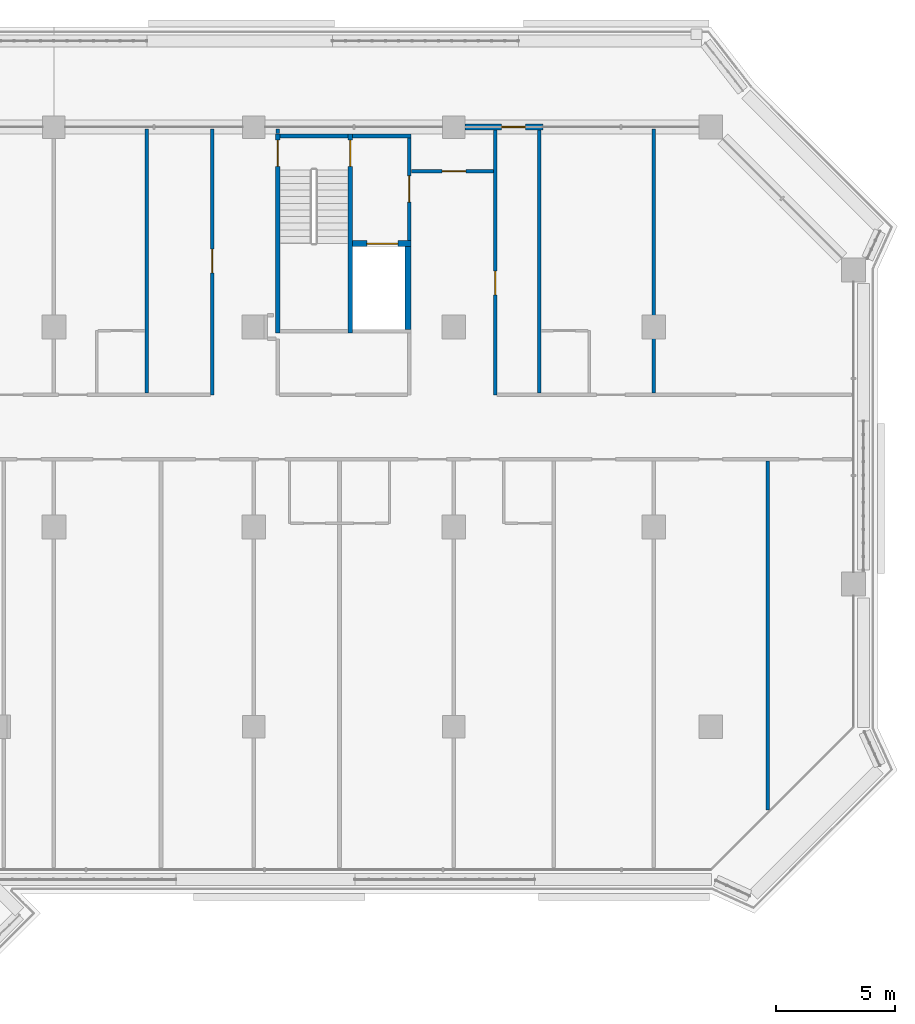
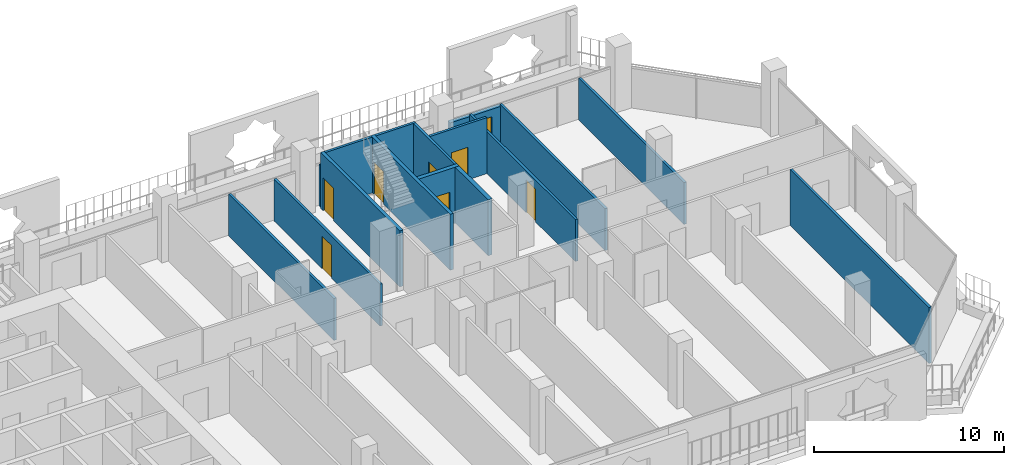
# One storey, part 14 of 22: 16 walls, 8 doors, 8 openings.
"""IFC4 building model written with IfcOpenShell, lengths in metres."""

import ifcopenshell
import ifcopenshell.guid

model = None  # the IFC model being written
_history = None  # IfcOwnerHistory: only IFC2X3 demands one
_inside = {}  # id of a spatial element -> (the spatial element, [elements in it])
_under = {}  # id of a project, library or spatial element -> (it, [spatial elements below it])
_declared = {}  # id of a project -> (the project, [libraries it declares])
_typed = {}  # id of a type object -> (the type object, [elements of that type])
_made_of = {}  # id of a material, layer set ... -> (it, [elements and type objects made of it])


def new_model(schema):
    """Start an empty IFC model of exactly this schema.

    Asked for "IFC4X3", IfcOpenShell would pick the latest addendum, in which some entities
    have other attributes; the version numbers below select the first issue.
    IFC2X3 requires an IfcOwnerHistory on every rooted entity: one is made here for all.
    """
    global model, _history
    if schema == "IFC4X3":
        model = ifcopenshell.file(schema_version=(4, 3, 0, 0))
    else:
        model = ifcopenshell.file(schema=schema)
    _inside.clear()
    _under.clear()
    _declared.clear()
    _typed.clear()
    _made_of.clear()
    _history = None
    if model.schema == "IFC2X3":
        org = make("IfcOrganization", Name="unknown")
        user = make(
            "IfcPersonAndOrganization",
            ThePerson=make("IfcPerson", FamilyName="unknown"),
            TheOrganization=org,
        )
        app = make(
            "IfcApplication",
            ApplicationDeveloper=org,
            Version="unknown",
            ApplicationFullName="unknown",
            ApplicationIdentifier="unknown",
        )
        _history = make(
            "IfcOwnerHistory",
            OwningUser=user,
            OwningApplication=app,
            ChangeAction="ADDED",
            CreationDate=0,
        )
    return model


def make(cls, **values):
    """One entity of the class cls with the attributes given. An attribute that is None is left unset."""
    return model.create_entity(
        cls, **{name: value for name, value in values.items() if value is not None}
    )


def rooted(cls, **values):
    """An entity with a GlobalId (a new one), such as an element, a storey or a relation."""
    return make(cls, GlobalId=ifcopenshell.guid.new(), OwnerHistory=_history, **values)


def si_unit(unit_type, name, prefix=None):
    """IfcSIUnit, for example si_unit("LENGTHUNIT", "METRE", prefix="MILLI")."""
    return make("IfcSIUnit", UnitType=unit_type, Prefix=prefix, Name=name)


def assignment(units):
    """IfcUnitAssignment: the units of a project."""
    return None if units is None else make("IfcUnitAssignment", Units=units)


def point(xyz):
    """IfcCartesianPoint."""
    return None if xyz is None else make("IfcCartesianPoint", Coordinates=xyz)


def direction(xyz):
    """IfcDirection."""
    return None if xyz is None else make("IfcDirection", DirectionRatios=xyz)


def frame(location, z_axis=None, x_axis=None):
    """IfcAxis2Placement3D, a coordinate frame: its origin and axes. An axis left out is left unset."""
    return make(
        "IfcAxis2Placement3D",
        Location=point(location),
        Axis=direction(z_axis),
        RefDirection=direction(x_axis),
    )


def frame_2d(location, x_axis=None):
    """IfcAxis2Placement2D, a coordinate frame in the plane: its origin and x axis."""
    return make(
        "IfcAxis2Placement2D", Location=point(location), RefDirection=direction(x_axis)
    )


def origin():
    """The frame at (0, 0, 0) with its axes left unset."""
    return frame((0.0, 0.0, 0.0))


def place(relative_to, where):
    """IfcLocalPlacement: puts the frame where relative to a parent placement (None: the world)."""
    return make(
        "IfcLocalPlacement", PlacementRelTo=relative_to, RelativePlacement=where
    )


def context(
    kind, dimensions, precision=None, world=None, true_north=None, identifier=None
):
    """IfcGeometricRepresentationContext, for example the 3D "Model" context."""
    return make(
        "IfcGeometricRepresentationContext",
        ContextIdentifier=identifier,
        ContextType=kind,
        CoordinateSpaceDimension=dimensions,
        Precision=precision,
        WorldCoordinateSystem=world,
        TrueNorth=true_north,
    )


def subcontext(parent, identifier, kind, view, scale=None):
    """IfcGeometricRepresentationSubContext, for example "Body" below "Model"."""
    return make(
        "IfcGeometricRepresentationSubContext",
        ContextIdentifier=identifier,
        ContextType=kind,
        ParentContext=parent,
        TargetScale=scale,
        TargetView=view,
    )


def project(units=None, contexts=None):
    """IfcProject with its units and contexts."""
    return rooted(
        "IfcProject",
        Name="project",
        RepresentationContexts=contexts,
        UnitsInContext=assignment(units),
    )


def spatial(cls, under=None, at=None, **own):
    """A site, building, storey or space (cls), placed at a placement, below another one or the project."""
    s = rooted(cls, ObjectPlacement=at, **own)
    if under is not None:
        _under.setdefault(under.id(), (under, []))[1].append(s)
    return s


def profile(cls, at=None, kind="AREA", **sizes):
    """A parametric profile (cls). Its sizes go by their IFC names, for example OverallWidth=200.0."""
    return make(cls, ProfileType=kind, Position=at, **sizes)


def rectangle(**sizes):
    """IfcRectangleProfileDef."""
    return profile("IfcRectangleProfileDef", **sizes)


def extrude(swept, where, along, depth):
    """IfcExtrudedAreaSolid: the profile swept, set in the frame where, extruded along a direction by depth."""
    return make(
        "IfcExtrudedAreaSolid",
        SweptArea=swept,
        Position=where,
        ExtrudedDirection=direction(along),
        Depth=depth,
    )


def shape(context_of_items, identifier, shape_type, items):
    """IfcShapeRepresentation: the items that make up one representation, for example the "Body"."""
    return make(
        "IfcShapeRepresentation",
        ContextOfItems=context_of_items,
        RepresentationIdentifier=identifier,
        RepresentationType=shape_type,
        Items=items,
    )


def material(Name=None, Category=None):
    """IfcMaterial."""
    return make("IfcMaterial", Name=Name, Category=Category)


def layer(
    of_material, thickness, ventilated=None, Name=None, Category=None, Priority=None
):
    """IfcMaterialLayer: one layer of a wall or slab, of a material (None: an air gap)."""
    return make(
        "IfcMaterialLayer",
        Material=of_material,
        LayerThickness=thickness,
        IsVentilated=ventilated,
        Name=Name,
        Category=Category,
        Priority=Priority,
    )


def layer_set(layers, Name=None):
    """IfcMaterialLayerSet."""
    return make("IfcMaterialLayerSet", MaterialLayers=layers, LayerSetName=Name)


def made_of(thing, what):
    """Note that an element or type object is made of a material, layer set ...; save() writes the relation."""
    if what is not None:
        _made_of.setdefault(what.id(), (what, []))[1].append(thing)
    return thing


def type_object(cls, material=None, **own):
    """A type object (cls), such as IfcWallType, which elements share."""
    return made_of(rooted(cls, **own), material)


def element(
    cls,
    number,
    at=None,
    inside=None,
    cuts=None,
    type_object=None,
    material=None,
    context=None,
    identifier="Body",
    shape_type=None,
    held_by="IfcProductDefinitionShape",
    body=None,
    shapes=None,
    **own,
):
    """One element of the class cls, such as IfcWall. Its Tag is "e" and its number.

    at: its placement. inside: the storey or other place that contains it. cuts: it is an
    opening in that element (IfcRelVoidsElement). A single representation is given by context,
    identifier, shape_type and body (its items); several are given by shapes. held_by: the class
    of the entity that holds the representations. save() writes the other relations.
    """
    e = rooted(cls, Tag="e%d" % number, ObjectPlacement=at, **own)
    if body is not None:
        shapes = [shape(context, identifier, shape_type, body)]
    if shapes is not None:
        e.Representation = make(held_by, Representations=shapes)
    if inside is not None:
        _inside.setdefault(inside.id(), (inside, []))[1].append(e)
    if cuts is not None:
        rooted(
            "IfcRelVoidsElement", RelatingBuildingElement=cuts, RelatedOpeningElement=e
        )
    if type_object is not None:
        _typed.setdefault(type_object.id(), (type_object, []))[1].append(e)
    return made_of(e, material)


def fill(opening, filler):
    """IfcRelFillsElement: the door or window that sits in an opening."""
    return rooted(
        "IfcRelFillsElement",
        RelatingOpeningElement=opening,
        RelatedBuildingElement=filler,
    )


def aggregate(whole, parts):
    """IfcRelAggregates: a whole, such as a stair, and the parts it consists of."""
    return rooted("IfcRelAggregates", RelatingObject=whole, RelatedObjects=parts)


def save(model, path):
    """Write the relations noted so far, then the file.

    IfcRelAggregates (storeys below a building ...), IfcRelContainedInSpatialStructure (elements
    in a storey), IfcRelDefinesByType, IfcRelAssociatesMaterial and IfcRelDeclares: one each for
    every whole, place, type object, material and project.
    """
    for whole, parts in _under.values():
        aggregate(whole, parts)
    for where, things in _inside.values():
        rooted(
            "IfcRelContainedInSpatialStructure",
            RelatedElements=things,
            RelatingStructure=where,
        )
    for kind, things in _typed.values():
        rooted("IfcRelDefinesByType", RelatedObjects=things, RelatingType=kind)
    for what, things in _made_of.values():
        rooted("IfcRelAssociatesMaterial", RelatedObjects=things, RelatingMaterial=what)
    for by, libraries in _declared.values():
        rooted("IfcRelDeclares", RelatingContext=by, RelatedDefinitions=libraries)
    model.write(path)


model = new_model("IFC4")

# Units and contexts
model_context = context("Model", 3, precision=1e-05, world=origin(), true_north=direction((0.0, 1.0)))
body_context = subcontext(model_context, "Body", "Model", "MODEL_VIEW")
ifc_project = project(units=[si_unit("LENGTHUNIT", "METRE"), si_unit("AREAUNIT", "SQUARE_METRE"), si_unit("VOLUMEUNIT", "CUBIC_METRE"), si_unit("PLANEANGLEUNIT", "RADIAN"), si_unit("MASSUNIT", "GRAM", prefix="KILO")], contexts=[model_context])

# Site, building, storey
site_placement = place(None, origin())
site = spatial("IfcSite", under=ifc_project, at=site_placement, CompositionType="ELEMENT")
building_placement = place(site_placement, origin())
building = spatial("IfcBuilding", under=site, at=building_placement, Name="Kawkab Arch Medical Tower", CompositionType="ELEMENT")
storey_placement = place(building_placement, frame((0.0, 0.0, 196.199951171875)))
storey = spatial("IfcBuildingStorey", under=building, at=storey_placement, Name="L45", CompositionType="ELEMENT", Elevation=196.199951171875)

# Wall, opening, door
ifc_material_1 = material(Name="Gypsum board on steel studs", Category="steel")
ifc_layer_1 = layer(ifc_material_1, 0.14990234375)
ifc_layer_set_1 = layer_set([ifc_layer_1], Name="Gypsum board on steel studs")
wall_type_1 = type_object("IfcWallType", Name="Core room partition 150", PredefinedType="PARTITIONING", material=ifc_layer_set_1)
wall_1_placement = place(storey_placement, frame((48.52490234375, -4.77490234375, 0.0), z_axis=(0.0, 0.0, 1.0), x_axis=(0.0, 1.0, 0.0)))
wall_1 = element("IfcWall", 1, at=wall_1_placement, inside=storey, type_object=wall_type_1, Name="L45 core room partition", PredefinedType="PARTITIONING", context=body_context, shape_type="SweptSolid", body=[
    extrude(rectangle(XDim=4.324951171875, YDim=0.14990234375, at=frame_2d((2.16259765625, 0.0))), origin(), (0.0, 0.0, 1.0), 3.60009765625),
])
opening_1_placement = place(wall_1_placement, frame((1.625, 0.0, 0.0)))
opening_1 = element("IfcOpeningElement", 2, at=opening_1_placement, cuts=wall_1, Name="Opening FD", PredefinedType="OPENING", context=body_context, shape_type="SweptSolid", body=[
    extrude(rectangle(XDim=1.10009765625, YDim=2.10009765625, at=frame_2d((0.550048828125, 1.050048828125))), frame((0.0, 0.0849609375, 0.0), z_axis=(0.0, -1.0, 0.0), x_axis=(1.0, 0.0, 0.0)), (0.0, 0.0, 1.0), 0.169921875),
])
ifc_material_2 = material(Name="Hollow metal fire door leaf")
door_type_1 = type_object("IfcDoorType", Name="Firefighting lobby door 1100", OperationType="SINGLE_SWING_LEFT", PredefinedType="DOOR", material=ifc_material_2)
door_1_placement = place(opening_1_placement, origin())
door_1 = element("IfcDoor", 3, at=door_1_placement, inside=storey, type_object=door_type_1, Name="L45 Service lift lobby door SV1", OperationType="SINGLE_SWING_LEFT", OverallHeight=2.10009765625, OverallWidth=1.10009765625, PredefinedType="DOOR", context=body_context, shape_type="SweptSolid", body=[
    extrude(rectangle(XDim=1.10009765625, YDim=2.10009765625, at=frame_2d((0.550048828125, 1.050048828125))), frame((0.0, 0.02490234375, 0.0), z_axis=(0.0, -1.0, 0.0), x_axis=(1.0, 0.0, 0.0)), (0.0, 0.0, 1.0), 0.050048828125),
])
fill(opening_1, door_1)

ifc_material_3 = material(Name="Concrete C60/75", Category="concrete")
ifc_layer_2 = layer(ifc_material_3, 0.25)
ifc_layer_set_2 = layer_set([ifc_layer_2], Name="Concrete C60/75")
wall_type_2 = type_object("IfcWallType", Name="Core shear wall 250 C60/75", PredefinedType="SHEAR", material=ifc_layer_set_2)
wall_2_placement = place(storey_placement, frame((46.14990234375, -4.89990234375, 0.0), z_axis=(0.0, 0.0, 1.0), x_axis=(1.0, 0.0, 0.0)))
wall_2 = element("IfcWall", 4, at=wall_2_placement, inside=storey, type_object=wall_type_2, Name="L45 core shear wall", PredefinedType="SHEAR", context=body_context, shape_type="SweptSolid", body=[
    extrude(rectangle(XDim=2.4501953125, YDim=0.25, at=frame_2d((1.22509765625, 0.0))), origin(), (0.0, 0.0, 1.0), 3.60009765625),
])
opening_2_placement = place(wall_2_placement, frame((0.60009765625, 0.0, 0.0)))
opening_2 = element("IfcOpeningElement", 5, at=opening_2_placement, cuts=wall_2, Name="Opening LD2", PredefinedType="OPENING", context=body_context, shape_type="SweptSolid", body=[
    extrude(rectangle(XDim=1.300048828125, YDim=2.10009765625, at=frame_2d((0.64990234375, 1.050048828125))), frame((0.0, 0.135009765625, 0.0), z_axis=(0.0, -1.0, 0.0), x_axis=(1.0, 0.0, 0.0)), (0.0, 0.0, 1.0), 0.27001953125),
])
ifc_material_4 = material(Name="Stainless steel lift door leaf", Category="steel")
door_type_2 = type_object("IfcDoorType", Name="Lift landing door 1300", OperationType="DOUBLE_DOOR_SLIDING", PredefinedType="DOOR", material=ifc_material_4)
door_2_placement = place(opening_2_placement, origin())
door_2 = element("IfcDoor", 6, at=door_2_placement, inside=storey, type_object=door_type_2, Name="L45 Lift landing door SV1", OperationType="DOUBLE_DOOR_SLIDING", OverallHeight=2.10009765625, OverallWidth=1.300048828125, PredefinedType="DOOR", context=body_context, shape_type="SweptSolid", body=[
    extrude(rectangle(XDim=1.300048828125, YDim=2.10009765625, at=frame_2d((0.64990234375, 1.050048828125))), frame((0.0, 0.02490234375, 0.0), z_axis=(0.0, -1.0, 0.0), x_axis=(1.0, 0.0, 0.0)), (0.0, 0.0, 1.0), 0.050048828125),
])
fill(opening_2, door_2)

# Wall
wall_3_placement = place(storey_placement, frame((48.47509765625, -8.5, 0.0), z_axis=(0.0, 0.0, 1.0), x_axis=(0.0, 1.0, 0.0)))
element("IfcWall", 7, at=wall_3_placement, inside=storey, type_object=wall_type_2, Name="L45 core shear wall", PredefinedType="SHEAR", context=body_context, shape_type="SweptSolid", body=[
    extrude(rectangle(XDim=3.47509765625, YDim=0.25, at=frame_2d((1.737548828125, 0.0))), origin(), (0.0, 0.0, 1.0), 3.60009765625),
])

# Wall, opening, door
ifc_material_5 = material(Name="Bronze clad insulated wall panel")
ifc_layer_3 = layer(ifc_material_5, 0.25)
ifc_layer_set_3 = layer_set([ifc_layer_3], Name="Bronze clad insulated wall panel")
wall_type_3 = type_object("IfcWallType", Name="External wall bay 250", PredefinedType="SOLIDWALL", material=ifc_layer_set_3)
wall_4_placement = place(storey_placement, frame((54.14990234375, 0.0, 0.0), z_axis=(0.0, 0.0, 1.0), x_axis=(-1.0, 0.0, 0.0)))
wall_4 = element("IfcWall", 8, at=wall_4_placement, inside=storey, type_object=wall_type_3, Name="External wall bay L45.R11.1.3", PredefinedType="SOLIDWALL", context=body_context, shape_type="SweptSolid", body=[
    extrude(rectangle(XDim=3.27490234375, YDim=0.25, at=frame_2d((1.637451171875, 0.0))), origin(), (0.0, 0.0, 1.0), 2.580078125),
])
opening_3_placement = place(wall_4_placement, frame((0.737548828125, 0.0, 0.0)))
opening_3 = element("IfcOpeningElement", 9, at=opening_3_placement, cuts=wall_4, Name="Opening W40-701", PredefinedType="OPENING", context=body_context, shape_type="SweptSolid", body=[
    extrude(rectangle(XDim=1.0, YDim=2.10009765625, at=frame_2d((0.5, 1.050048828125))), frame((0.0, 0.135009765625, 0.0), z_axis=(0.0, -1.0, 0.0), x_axis=(1.0, 0.0, 0.0)), (0.0, 0.0, 1.0), 0.27001953125),
])
ifc_material_6 = material(Name="Bronze anodised aluminium door with tinted glass", Category="aluminium")
door_type_3 = type_object("IfcDoorType", Name="Single external door 1000 x 2100", OperationType="SINGLE_SWING_LEFT", PredefinedType="DOOR", material=ifc_material_6)
door_3_placement = place(opening_3_placement, origin())
door_3 = element("IfcDoor", 10, at=door_3_placement, inside=storey, type_object=door_type_3, Name="External door L45.R11.1.3", OperationType="SINGLE_SWING_LEFT", OverallHeight=2.10009765625, OverallWidth=1.0, PredefinedType="DOOR", context=body_context, shape_type="SweptSolid", body=[
    extrude(rectangle(XDim=1.0, YDim=2.10009765625, at=frame_2d((0.5, 1.050048828125))), frame((0.0, 0.02490234375, 0.0), z_axis=(0.0, -1.0, 0.0), x_axis=(1.0, 0.0, 0.0)), (0.0, 0.0, 1.0), 0.050048828125),
])
fill(opening_3, door_3)

ifc_material_7 = material(Name="Gypsum board partition on steel studs, mineral wool", Category="steel")
ifc_layer_4 = layer(ifc_material_7, 0.14990234375)
ifc_layer_set_4 = layer_set([ifc_layer_4], Name="Gypsum board partition on steel studs, mineral wool")
wall_type_4 = type_object("IfcWallType", Name="Partition 150", PredefinedType="PARTITIONING", material=ifc_layer_set_4)
wall_5_placement = place(storey_placement, frame((48.6298828125, -1.85009765625, 0.0), z_axis=(0.0, 0.0, 1.0), x_axis=(1.0, 0.0, 0.0)))
wall_5 = element("IfcWall", 11, at=wall_5_placement, inside=storey, type_object=wall_type_4, Name="Partition 150 w036", PredefinedType="PARTITIONING", context=body_context, shape_type="SweptSolid", body=[
    extrude(rectangle(XDim=3.438232421875, YDim=0.14990234375, at=frame_2d((1.71923828125, 0.0))), origin(), (0.0, 0.0, 1.0), 3.60009765625),
])
opening_4_placement = place(wall_5_placement, frame((1.281982421875, 0.0, 0.0)))
opening_4 = element("IfcOpeningElement", 12, at=opening_4_placement, cuts=wall_5, Name="Opening W40-017", PredefinedType="OPENING", context=body_context, shape_type="SweptSolid", body=[
    extrude(rectangle(XDim=1.0, YDim=2.10009765625, at=frame_2d((0.5, 1.050048828125))), frame((0.0, 0.0849609375, 0.0), z_axis=(0.0, -1.0, 0.0), x_axis=(1.0, 0.0, 0.0)), (0.0, 0.0, 1.0), 0.169921875),
])
ifc_material_8 = material(Name="Hollow metal door leaf")
door_type_4 = type_object("IfcDoorType", Name="Single door 1000x2100 FD30S", OperationType="NOTDEFINED", PredefinedType="DOOR", material=ifc_material_8)
door_4_placement = place(opening_4_placement, origin())
door_4 = element("IfcDoor", 13, at=door_4_placement, inside=storey, type_object=door_type_4, Name="Door W40-017", OperationType="SINGLE_SWING_RIGHT", OverallHeight=2.10009765625, OverallWidth=1.0, PredefinedType="DOOR", context=body_context, shape_type="SweptSolid", body=[
    extrude(rectangle(XDim=1.0, YDim=2.10009765625, at=frame_2d((0.5, 1.050048828125))), frame((0.0, 0.02490234375, 0.0), z_axis=(0.0, -1.0, 0.0), x_axis=(1.0, 0.0, 0.0)), (0.0, 0.0, 1.0), 0.050048828125),
])
fill(opening_4, door_4)

# Wall
wall_6_placement = place(storey_placement, frame((37.5, -11.175048828125, 0.0), z_axis=(0.0, 0.0, 1.0), x_axis=(0.0, 1.0, 0.0)))
element("IfcWall", 14, at=wall_6_placement, inside=storey, type_object=wall_type_4, Name="Partition 150 w053", PredefinedType="PARTITIONING", context=body_context, shape_type="SweptSolid", body=[
    extrude(rectangle(XDim=11.094970703125, YDim=0.14990234375, at=frame_2d((5.54736328125, 0.0))), origin(), (0.0, 0.0, 1.0), 2.699951171875),
])

# Wall, opening, door
wall_7_placement = place(storey_placement, frame((40.257080078125, -11.25, 0.0), z_axis=(0.0, 0.0, 1.0), x_axis=(0.0, 1.0, 0.0)))
wall_7 = element("IfcWall", 15, at=wall_7_placement, inside=storey, type_object=wall_type_4, Name="Partition 150 w055", PredefinedType="PARTITIONING", context=body_context, shape_type="SweptSolid", body=[
    extrude(rectangle(XDim=11.169921875, YDim=0.14990234375, at=frame_2d((5.5849609375, 0.0))), origin(), (0.0, 0.0, 1.0), 2.699951171875),
])
opening_5_placement = place(wall_7_placement, frame((5.125, 0.0, 0.0)))
opening_5 = element("IfcOpeningElement", 16, at=opening_5_placement, cuts=wall_7, Name="Opening W40-015", PredefinedType="OPENING", context=body_context, shape_type="SweptSolid", body=[
    extrude(rectangle(XDim=1.0, YDim=2.10009765625, at=frame_2d((0.5, 1.050048828125))), frame((0.0, 0.0849609375, 0.0), z_axis=(0.0, -1.0, 0.0), x_axis=(1.0, 0.0, 0.0)), (0.0, 0.0, 1.0), 0.169921875),
])
door_5_placement = place(opening_5_placement, origin())
door_5 = element("IfcDoor", 17, at=door_5_placement, inside=storey, type_object=door_type_4, Name="Door W40-015", OperationType="SINGLE_SWING_RIGHT", OverallHeight=2.10009765625, OverallWidth=1.0, PredefinedType="DOOR", context=body_context, shape_type="SweptSolid", body=[
    extrude(rectangle(XDim=1.0, YDim=2.10009765625, at=frame_2d((0.5, 1.050048828125))), frame((0.0, 0.02490234375, 0.0), z_axis=(0.0, -1.0, 0.0), x_axis=(1.0, 0.0, 0.0)), (0.0, 0.0, 1.0), 0.050048828125),
])
fill(opening_5, door_5)

# Wall
wall_8_placement = place(storey_placement, frame((43.0, -0.27001953125, 0.0), z_axis=(0.0, 0.0, 1.0), x_axis=(0.0, 1.0, 0.0)))
element("IfcWall", 18, at=wall_8_placement, inside=storey, type_object=wall_type_4, Name="Partition 150 w059", PredefinedType="PARTITIONING", context=body_context, shape_type="SweptSolid", body=[
    extrude(rectangle(XDim=0.18994140625, YDim=0.14990234375, at=frame_2d((0.094970703125, 0.0))), origin(), (0.0, 0.0, 1.0), 2.699951171875),
])

# Wall, opening, door
wall_9_placement = place(storey_placement, frame((52.14306640625, -11.25, 0.0), z_axis=(0.0, 0.0, 1.0), x_axis=(0.0, 1.0, 0.0)))
wall_9 = element("IfcWall", 19, at=wall_9_placement, inside=storey, type_object=wall_type_4, Name="Partition 150 w063", PredefinedType="PARTITIONING", context=body_context, shape_type="SweptSolid", body=[
    extrude(rectangle(XDim=11.169921875, YDim=0.14990234375, at=frame_2d((5.5849609375, 0.0))), origin(), (0.0, 0.0, 1.0), 2.699951171875),
])
opening_6_placement = place(wall_9_placement, frame((4.199951171875, 0.0, 0.0)))
opening_6 = element("IfcOpeningElement", 20, at=opening_6_placement, cuts=wall_9, Name="Opening W40-018", PredefinedType="OPENING", context=body_context, shape_type="SweptSolid", body=[
    extrude(rectangle(XDim=1.0, YDim=2.10009765625, at=frame_2d((0.5, 1.050048828125))), frame((0.0, 0.0849609375, 0.0), z_axis=(0.0, -1.0, 0.0), x_axis=(1.0, 0.0, 0.0)), (0.0, 0.0, 1.0), 0.169921875),
])
door_6_placement = place(opening_6_placement, origin())
door_6 = element("IfcDoor", 21, at=door_6_placement, inside=storey, type_object=door_type_4, Name="Door W40-018", OperationType="SINGLE_SWING_RIGHT", OverallHeight=2.10009765625, OverallWidth=1.0, PredefinedType="DOOR", context=body_context, shape_type="SweptSolid", body=[
    extrude(rectangle(XDim=1.0, YDim=2.10009765625, at=frame_2d((0.5, 1.050048828125))), frame((0.0, 0.02490234375, 0.0), z_axis=(0.0, -1.0, 0.0), x_axis=(1.0, 0.0, 0.0)), (0.0, 0.0, 1.0), 0.050048828125),
])
fill(opening_6, door_6)

# Walls
for number, where, z_axis, x_axis, name in (
    (22, (54.0, -11.175048828125, 0.0), (0.0, 0.0, 1.0), (0.0, 1.0, 0.0), "Partition 150 w064"),
    (23, (58.800048828125, -11.175048828125, 0.0), (0.0, 0.0, 1.0), (0.0, 1.0, 0.0), "Partition 150 w067"),
):
    element("IfcWall", number, at=place(storey_placement, frame(where, z_axis=z_axis, x_axis=x_axis)), inside=storey, type_object=wall_type_4, Name=name, PredefinedType="PARTITIONING", context=body_context, shape_type="SweptSolid", body=[
        extrude(rectangle(XDim=11.094970703125, YDim=0.14990234375, at=frame_2d((5.54736328125, 0.0))), origin(), (0.0, 0.0, 1.0), 2.699951171875),
    ])
wall_10_placement = place(storey_placement, frame((63.60009765625, -28.68701171875, 0.0), z_axis=(0.0, 0.0, 1.0), x_axis=(0.0, 1.0, 0.0)))
element("IfcWall", 24, at=wall_10_placement, inside=storey, type_object=wall_type_4, Name="Partition 150 w068", PredefinedType="PARTITIONING", context=body_context, shape_type="SweptSolid", body=[
    extrude(rectangle(XDim=14.662109375, YDim=0.14990234375, at=frame_2d((7.3310546875, 0.0))), origin(), (0.0, 0.0, 1.0), 3.60009765625),
])
ifc_material_9 = material(Name="Concrete C50/60", Category="concrete")
ifc_layer_5 = layer(ifc_material_9, 0.14990234375)
ifc_layer_set_5 = layer_set([ifc_layer_5], Name="Concrete C50/60")
wall_type_5 = type_object("IfcWallType", Name="Stair enclosure wall 150 C50/60", PredefinedType="SHEAR", material=ifc_layer_set_5)
wall_11_placement = place(storey_placement, frame((43.10009765625, -0.375, 0.0), z_axis=(0.0, 0.0, 1.0), x_axis=(1.0, 0.0, 0.0)))
element("IfcWall", 25, at=wall_11_placement, inside=storey, type_object=wall_type_5, Name="L45 stair enclosure wall", PredefinedType="SHEAR", context=body_context, shape_type="SweptSolid", body=[
    extrude(rectangle(XDim=2.849853515625, YDim=0.14990234375, at=frame_2d((1.4248046875, 0.0))), origin(), (0.0, 0.0, 1.0), 3.60009765625),
])
wall_12_placement = place(storey_placement, frame((46.14990234375, -0.375, 0.0), z_axis=(0.0, 0.0, 1.0), x_axis=(1.0, 0.0, 0.0)))
element("IfcWall", 26, at=wall_12_placement, inside=storey, type_object=wall_type_5, Name="L45 stair enclosure wall", PredefinedType="SHEAR", context=body_context, shape_type="SweptSolid", body=[
    extrude(rectangle(XDim=2.4501953125, YDim=0.14990234375, at=frame_2d((1.22509765625, 0.0))), origin(), (0.0, 0.0, 1.0), 3.60009765625),
])

# Wall, opening, door
ifc_material_10 = material(Name="Concrete C50/60", Category="concrete")
ifc_layer_6 = layer(ifc_material_10, 0.199951171875)
ifc_layer_set_6 = layer_set([ifc_layer_6], Name="Concrete C50/60")
wall_type_6 = type_object("IfcWallType", Name="Stair enclosure wall 200 C50/60", PredefinedType="SHEAR", material=ifc_layer_set_6)
wall_13_placement = place(storey_placement, frame((43.0, -8.64990234375, 0.0), z_axis=(0.0, 0.0, 1.0), x_axis=(0.0, 1.0, 0.0)))
wall_13 = element("IfcWall", 27, at=wall_13_placement, inside=storey, type_object=wall_type_6, Name="L45 stair enclosure wall", PredefinedType="SHEAR", context=body_context, shape_type="SweptSolid", body=[
    extrude(rectangle(XDim=8.349853515625, YDim=0.199951171875, at=frame_2d((4.1748046875, 0.0))), origin(), (0.0, 0.0, 1.0), 3.60009765625),
])
opening_7_placement = place(wall_13_placement, frame((7.0, 0.0, 0.0)))
opening_7 = element("IfcOpeningElement", 28, at=opening_7_placement, cuts=wall_13, Name="Opening SD", PredefinedType="OPENING", context=body_context, shape_type="SweptSolid", body=[
    extrude(rectangle(XDim=1.10009765625, YDim=2.10009765625, at=frame_2d((0.550048828125, 1.050048828125))), frame((0.0, 0.10986328125, 0.0), z_axis=(0.0, -1.0, 0.0), x_axis=(1.0, 0.0, 0.0)), (0.0, 0.0, 1.0), 0.219970703125),
])
ifc_material_11 = material(Name="Hollow metal fire door leaf")
door_type_5 = type_object("IfcDoorType", Name="Exit stair door 1100", OperationType="SINGLE_SWING_LEFT", PredefinedType="DOOR", material=ifc_material_11)
door_7_placement = place(opening_7_placement, frame((1.10009765625, 0.0, 0.0), z_axis=(0.0, 0.0, 1.0), x_axis=(-1.0, 0.0, 0.0)))
door_7 = element("IfcDoor", 29, at=door_7_placement, inside=storey, type_object=door_type_5, Name="L45 Exit stair ST5 door", OperationType="SINGLE_SWING_LEFT", OverallHeight=2.10009765625, OverallWidth=1.10009765625, PredefinedType="DOOR", context=body_context, shape_type="SweptSolid", body=[
    extrude(rectangle(XDim=1.10009765625, YDim=2.10009765625, at=frame_2d((0.550048828125, 1.050048828125))), frame((0.0, 0.02490234375, 0.0), z_axis=(0.0, -1.0, 0.0), x_axis=(1.0, 0.0, 0.0)), (0.0, 0.0, 1.0), 0.050048828125),
])
fill(opening_7, door_7)

wall_14_placement = place(storey_placement, frame((46.050048828125, -8.64990234375, 0.0), z_axis=(0.0, 0.0, 1.0), x_axis=(0.0, 1.0, 0.0)))
wall_14 = element("IfcWall", 30, at=wall_14_placement, inside=storey, type_object=wall_type_6, Name="L45 stair enclosure wall", PredefinedType="SHEAR", context=body_context, shape_type="SweptSolid", body=[
    extrude(rectangle(XDim=8.349853515625, YDim=0.199951171875, at=frame_2d((4.1748046875, 0.0))), origin(), (0.0, 0.0, 1.0), 3.60009765625),
])
opening_8_placement = place(wall_14_placement, frame((7.0, 0.0, 0.0)))
opening_8 = element("IfcOpeningElement", 31, at=opening_8_placement, cuts=wall_14, Name="Opening SD", PredefinedType="OPENING", context=body_context, shape_type="SweptSolid", body=[
    extrude(rectangle(XDim=1.10009765625, YDim=2.10009765625, at=frame_2d((0.550048828125, 1.050048828125))), frame((0.0, 0.10986328125, 0.0), z_axis=(0.0, -1.0, 0.0), x_axis=(1.0, 0.0, 0.0)), (0.0, 0.0, 1.0), 0.219970703125),
])
door_8_placement = place(opening_8_placement, origin())
door_8 = element("IfcDoor", 32, at=door_8_placement, inside=storey, type_object=door_type_5, Name="L45 Exit stair ST5 lobby door", OperationType="SINGLE_SWING_LEFT", OverallHeight=2.10009765625, OverallWidth=1.10009765625, PredefinedType="DOOR", context=body_context, shape_type="SweptSolid", body=[
    extrude(rectangle(XDim=1.10009765625, YDim=2.10009765625, at=frame_2d((0.550048828125, 1.050048828125))), frame((0.0, 0.02490234375, 0.0), z_axis=(0.0, -1.0, 0.0), x_axis=(1.0, 0.0, 0.0)), (0.0, 0.0, 1.0), 0.050048828125),
])
fill(opening_8, door_8)

save(model, "model.ifc")
